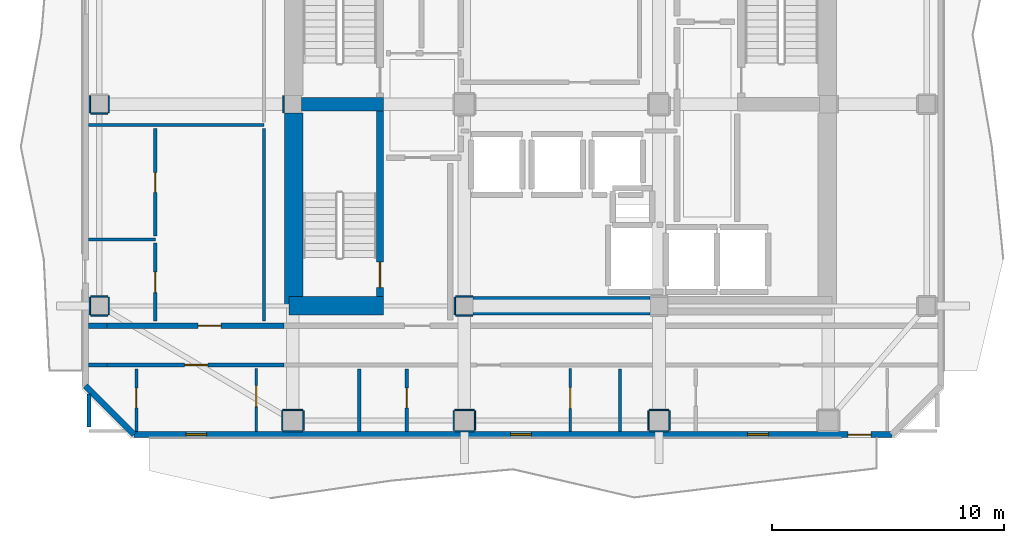
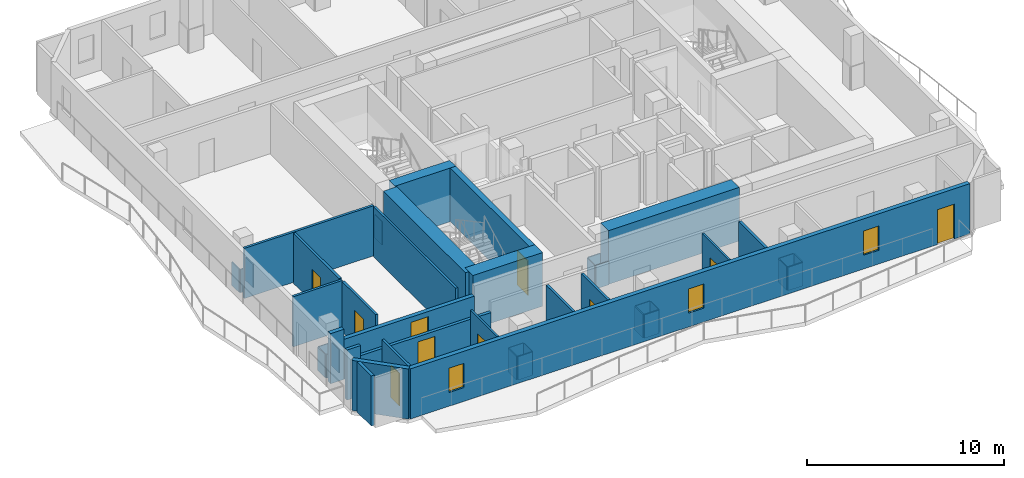
# One storey, part 2 of 10: 46 walls, 10 doors, 3 windows, 13 openings.
"""IFC4 building model written with IfcOpenShell, lengths in metres."""

from ifc_helpers import new_model, si_unit, direction, frame, frame_2d, origin, place, context, subcontext, project, spatial, rectangle, extrude, material, layer, layer_set, type_object, element, fill, save


model = new_model("IFC4")

# Units and contexts
model_context = context("Model", 3, precision=1e-05, world=origin(), true_north=direction((0.0, 1.0)))
body_context = subcontext(model_context, "Body", "Model", "MODEL_VIEW")
ifc_project = project(units=[si_unit("LENGTHUNIT", "METRE"), si_unit("AREAUNIT", "SQUARE_METRE"), si_unit("VOLUMEUNIT", "CUBIC_METRE"), si_unit("PLANEANGLEUNIT", "RADIAN"), si_unit("MASSUNIT", "GRAM", prefix="KILO")], contexts=[model_context])

# Site, building, storey
site_placement = place(None, origin())
site = spatial("IfcSite", under=ifc_project, at=site_placement, CompositionType="ELEMENT")
building_placement = place(site_placement, origin())
building = spatial("IfcBuilding", under=site, at=building_placement, Name="Solanera Arch Residences", CompositionType="ELEMENT")
storey_placement = place(building_placement, frame((0.0, 0.0, 262.239990234375)))
storey = spatial("IfcBuildingStorey", under=building, at=storey_placement, Name="L76", CompositionType="ELEMENT", Elevation=262.239990234375)

# Walls
ifc_material_1 = material(Name="Fire-Rated Gypsum Stud Partition", Category="gypsum")
ifc_layer_1 = layer(ifc_material_1, 0.06005859375)
ifc_layer_set_1 = layer_set([ifc_layer_1], Name="Fire-Rated Gypsum Stud Partition")
wall_type_1 = type_object("IfcWallType", Name="Column Acoustic Furring Wall 60", PredefinedType="PARTITIONING", material=ifc_layer_set_1)
for number, where, z_axis, x_axis, name in (
    (1, (20.425048828125, 21.593017578125, 0.0), (0.0, 0.0, 1.0), (1.0, 0.0, 0.0), "L76 Column Furring 1S"),
    (2, (20.425048828125, 22.406982421875, 0.0), (0.0, 0.0, 1.0), (1.0, 0.0, 0.0), "L76 Column Furring 1N"),
):
    element("IfcWall", number, at=place(storey_placement, frame(where, z_axis=z_axis, x_axis=x_axis)), inside=storey, type_object=wall_type_1, Name=name, PredefinedType="PARTITIONING", context=body_context, shape_type="SweptSolid", body=[
        extrude(rectangle(XDim=0.741943359375, YDim=0.06005859375, at=frame_2d((0.37109375, 0.0))), origin(), (0.0, 0.0, 1.0), 1.449951171875),
    ])
for number, where, z_axis, x_axis, name in (
    (3, (20.39306640625, 21.625, 0.0), (0.0, 0.0, 1.0), (0.0, 1.0, 0.0), "L76 Column Furring 1W"),
    (4, (12.992919921875, 30.324951171875, 0.0), (0.0, 0.0, 1.0), (0.0, 1.0, 0.0), "L76 Column Furring 5W"),
):
    element("IfcWall", number, at=place(storey_placement, frame(where, z_axis=z_axis, x_axis=x_axis)), inside=storey, type_object=wall_type_1, Name=name, PredefinedType="PARTITIONING", context=body_context, shape_type="SweptSolid", body=[
        extrude(rectangle(XDim=0.75, YDim=0.06005859375, at=frame_2d((0.375, 0.0))), origin(), (0.0, 0.0, 1.0), 1.449951171875),
    ])
for number, where, z_axis, x_axis, name in (
    (5, (12.97509765625, 16.593017578125, 0.0), (0.0, 0.0, 1.0), (1.0, 0.0, 0.0), "L76 Column Furring 9S"),
    (6, (12.97509765625, 17.507080078125, 0.0), (0.0, 0.0, 1.0), (1.0, 0.0, 0.0), "L76 Column Furring 9N"),
):
    element("IfcWall", number, at=place(storey_placement, frame(where, z_axis=z_axis, x_axis=x_axis)), inside=storey, type_object=wall_type_1, Name=name, PredefinedType="PARTITIONING", context=body_context, shape_type="SweptSolid", body=[
        extrude(rectangle(XDim=0.849853515625, YDim=0.06005859375, at=frame_2d((0.4248046875, 0.0))), origin(), (0.0, 0.0, 1.0), 1.449951171875),
    ])
for number, where, z_axis, x_axis, name in (
    (7, (12.943115234375, 16.625, 0.0), (0.0, 0.0, 1.0), (0.0, 1.0, 0.0), "L76 Column Furring 9W"),
    (8, (13.85693359375, 16.625, 0.0), (0.0, 0.0, 1.0), (0.0, 1.0, 0.0), "L76 Column Furring 9E"),
    (9, (20.375, 16.593017578125, 0.0), (0.0, 0.0, 1.0), (1.0, 0.0, 0.0), "L76 Column Furring 11S"),
    (10, (20.375, 17.507080078125, 0.0), (0.0, 0.0, 1.0), (1.0, 0.0, 0.0), "L76 Column Furring 11N"),
    (11, (20.343017578125, 16.625, 0.0), (0.0, 0.0, 1.0), (0.0, 1.0, 0.0), "L76 Column Furring 11W"),
    (12, (21.257080078125, 16.625, 0.0), (0.0, 0.0, 1.0), (0.0, 1.0, 0.0), "L76 Column Furring 11E"),
    (13, (28.77490234375, 16.593017578125, 0.0), (0.0, 0.0, 1.0), (1.0, 0.0, 0.0), "L76 Column Furring 13S"),
    (14, (28.77490234375, 17.507080078125, 0.0), (0.0, 0.0, 1.0), (1.0, 0.0, 0.0), "L76 Column Furring 13N"),
    (15, (28.742919921875, 16.625, 0.0), (0.0, 0.0, 1.0), (0.0, 1.0, 0.0), "L76 Column Furring 13W"),
    (16, (29.656982421875, 16.625, 0.0), (0.0, 0.0, 1.0), (0.0, 1.0, 0.0), "L76 Column Furring 13E"),
):
    element("IfcWall", number, at=place(storey_placement, frame(where, z_axis=z_axis, x_axis=x_axis)), inside=storey, type_object=wall_type_1, Name=name, PredefinedType="PARTITIONING", context=body_context, shape_type="SweptSolid", body=[
        extrude(rectangle(XDim=0.85009765625, YDim=0.06005859375, at=frame_2d((0.425048828125, 0.0))), origin(), (0.0, 0.0, 1.0), 1.449951171875),
    ])
for number, where, z_axis, x_axis, name in (
    (17, (4.675048828125, 21.593017578125, 0.0), (0.0, 0.0, 1.0), (1.0, 0.0, 0.0), "L76 Column Furring 17S"),
    (18, (4.675048828125, 22.406982421875, 0.0), (0.0, 0.0, 1.0), (1.0, 0.0, 0.0), "L76 Column Furring 17N"),
    (19, (4.64306640625, 21.625, 0.0), (0.0, 0.0, 1.0), (0.0, 1.0, 0.0), "L76 Column Furring 17W"),
    (20, (5.45703125, 21.625, 0.0), (0.0, 0.0, 1.0), (0.0, 1.0, 0.0), "L76 Column Furring 17E"),
    (21, (4.675048828125, 30.29296875, 0.0), (0.0, 0.0, 1.0), (1.0, 0.0, 0.0), "L76 Column Furring 19S"),
    (22, (4.64306640625, 30.324951171875, 0.0), (0.0, 0.0, 1.0), (0.0, 1.0, 0.0), "L76 Column Furring 19W"),
    (23, (5.45703125, 30.324951171875, 0.0), (0.0, 0.0, 1.0), (0.0, 1.0, 0.0), "L76 Column Furring 19E"),
):
    element("IfcWall", number, at=place(storey_placement, frame(where, z_axis=z_axis, x_axis=x_axis)), inside=storey, type_object=wall_type_1, Name=name, PredefinedType="PARTITIONING", context=body_context, shape_type="SweptSolid", body=[
        extrude(rectangle(XDim=0.75, YDim=0.06005859375, at=frame_2d((0.375, 0.0))), origin(), (0.0, 0.0, 1.0), 1.449951171875),
    ])

# Wall, opening, door
ifc_material_2 = material(Name="Concrete C40/50 (f'c = 45 MPa)", Category="concrete")
ifc_layer_2 = layer(ifc_material_2, 0.320068359375)
ifc_layer_set_2 = layer_set([ifc_layer_2], Name="Concrete C40/50 (f'c = 45 MPa)")
wall_type_2 = type_object("IfcWallType", Name="Core Shear Wall CW-320", PredefinedType="SHEAR", material=ifc_layer_set_2)
wall_1_placement = place(storey_placement, frame((17.159912109375, 22.39990234375, 0.0), z_axis=(0.0, 0.0, 1.0), x_axis=(0.0, 1.0, 0.0)))
wall_1 = element("IfcWall", 24, at=wall_1_placement, inside=storey, type_object=wall_type_2, Name="L76 Stair ST-T3 East Shear Wall", PredefinedType="SHEAR", context=body_context, shape_type="SweptSolid", body=[
    extrude(rectangle(XDim=8.0, YDim=0.320068359375, at=frame_2d((4.0, 0.0))), origin(), (0.0, 0.0, 1.0), 3.320068359375),
])
opening_1_placement = place(wall_1_placement, frame((0.389892578125, 0.0, 0.0)))
opening_1 = element("IfcOpeningElement", 25, at=opening_1_placement, cuts=wall_1, Name="Opening DF-01", PredefinedType="OPENING", context=body_context, shape_type="SweptSolid", body=[
    extrude(rectangle(XDim=1.10009765625, YDim=2.14990234375, at=frame_2d((0.550048828125, 1.074951171875))), frame((0.0, 0.169921875, 0.0), z_axis=(0.0, -1.0, 0.0), x_axis=(1.0, 0.0, 0.0)), (0.0, 0.0, 1.0), 0.3401),
])
ifc_material_3 = material(Name="Fire-Rated Architectural Hardwood", Category="wood")
door_type_1 = type_object("IfcDoorType", Name="Stair Exit Fire Door DF-01", OperationType="NOTDEFINED", PredefinedType="DOOR", material=ifc_material_3)
door_1_placement = place(opening_1_placement, origin())
door_1 = element("IfcDoor", 26, at=door_1_placement, inside=storey, type_object=door_type_1, Name="DR-L76-STAIR-ST-T3", OperationType="SINGLE_SWING_LEFT", OverallHeight=2.14990234375, OverallWidth=1.10009765625, PredefinedType="DOOR", context=body_context, shape_type="SweptSolid", body=[
    extrude(rectangle(XDim=1.10009765625, YDim=2.14990234375, at=frame_2d((0.550048828125, 1.074951171875))), frame((0.0, 0.02490234375, 0.0), z_axis=(0.0, -1.0, 0.0), x_axis=(1.0, 0.0, 0.0)), (0.0, 0.0, 1.0), 0.050048828125),
])
fill(opening_1, door_1)

# Walls
ifc_material_4 = material(Name="Concrete C40/50 (f'c = 45 MPa)", Category="concrete")
ifc_layer_3 = layer(ifc_material_4, 0.60009765625)
ifc_layer_set_3 = layer_set([ifc_layer_3], Name="Concrete C40/50 (f'c = 45 MPa)")
wall_type_3 = type_object("IfcWallType", Name="Core Shear Wall CW-600", PredefinedType="SHEAR", material=ifc_layer_set_3)
wall_2_placement = place(storey_placement, frame((13.780029296875, 30.699951171875, 0.0), z_axis=(0.0, 0.0, 1.0), x_axis=(1.0, 0.0, 0.0)))
element("IfcWall", 27, at=wall_2_placement, inside=storey, type_object=wall_type_3, Name="L76 West Stair Divider Shear Wall", PredefinedType="SHEAR", context=body_context, shape_type="SweptSolid", body=[
    extrude(rectangle(XDim=3.5400390625, YDim=0.60009765625, at=frame_2d((1.77001953125, 0.0))), origin(), (0.0, 0.0, 1.0), 3.320068359375),
])
ifc_material_5 = material(Name="Concrete C40/50 (f'c = 45 MPa)", Category="concrete")
ifc_layer_4 = layer(ifc_material_5, 0.800048828125)
ifc_layer_set_4 = layer_set([ifc_layer_4], Name="Concrete C40/50 (f'c = 45 MPa)")
wall_type_4 = type_object("IfcWallType", Name="Core Shear Wall CW-800", PredefinedType="SHEAR", material=ifc_layer_set_4)
wall_3_placement = place(storey_placement, frame((13.43994140625, 22.0, 0.0), z_axis=(0.0, 0.0, 1.0), x_axis=(0.0, 1.0, 0.0)))
element("IfcWall", 28, at=wall_3_placement, inside=storey, type_object=wall_type_4, Name="L76 West Core South Shear Wall", PredefinedType="SHEAR", context=body_context, shape_type="SweptSolid", body=[
    extrude(rectangle(XDim=8.320068359375, YDim=0.800048828125, at=frame_2d((4.16015625, 0.0))), origin(), (0.0, 0.0, 1.0), 3.320068359375),
])
wall_4_placement = place(storey_placement, frame((13.239990234375, 22.0, 0.0), z_axis=(0.0, 0.0, 1.0), x_axis=(1.0, 0.0, 0.0)))
element("IfcWall", 29, at=wall_4_placement, inside=storey, type_object=wall_type_4, Name="L76 South-West Core Shear Wall", PredefinedType="SHEAR", context=body_context, shape_type="SweptSolid", body=[
    extrude(rectangle(XDim=4.080078125, YDim=0.800048828125, at=frame_2d((2.0400390625, 0.0))), origin(), (0.0, 0.0, 1.0), 3.320068359375),
])
wall_5_placement = place(storey_placement, frame((21.179931640625, 22.0, 0.0), z_axis=(0.0, 0.0, 1.0), x_axis=(1.0, 0.0, 0.0)))
element("IfcWall", 30, at=wall_5_placement, inside=storey, type_object=wall_type_4, Name="L76 Central South Core Shear Wall", PredefinedType="SHEAR", context=body_context, shape_type="SweptSolid", body=[
    extrude(rectangle(XDim=7.64013671875, YDim=0.800048828125, at=frame_2d((3.820068359375, 0.0))), origin(), (0.0, 0.0, 1.0), 3.320068359375),
])
ifc_material_6 = material(Name="Autoclaved Aerated Concrete Blockwork", Category="masonry")
ifc_layer_5 = layer(ifc_material_6, 0.179931640625)
ifc_layer_set_5 = layer_set([ifc_layer_5], Name="Autoclaved Aerated Concrete Blockwork")
wall_type_5 = type_object("IfcWallType", Name="Corridor Fire Partition 180", PredefinedType="PARTITIONING", material=ifc_layer_set_5)
wall_6_placement = place(storey_placement, frame((4.5869140625, 19.449951171875, 0.0), z_axis=(0.0, 0.0, 1.0), x_axis=(1.0, 0.0, 0.0)))
element("IfcWall", 31, at=wall_6_placement, inside=storey, type_object=wall_type_5, Name="L76 Interior Partition H7 1", PredefinedType="PARTITIONING", context=body_context, shape_type="SweptSolid", body=[
    extrude(rectangle(XDim=0.801025390625, YDim=0.179931640625, at=frame_2d((0.400390625, 0.0))), origin(), (0.0, 0.0, 1.0), 3.10009765625),
])

# Wall, opening, door
wall_7_placement = place(storey_placement, frame((5.387939453125, 19.449951171875, 0.0), z_axis=(0.0, 0.0, 1.0), x_axis=(1.0, 0.0, 0.0)))
wall_7 = element("IfcWall", 32, at=wall_7_placement, inside=storey, type_object=wall_type_5, Name="L76 Interior Partition H7 2", PredefinedType="PARTITIONING", context=body_context, shape_type="SweptSolid", body=[
    extrude(rectangle(XDim=7.6240234375, YDim=0.179931640625, at=frame_2d((3.81201171875, 0.0))), origin(), (0.0, 0.0, 1.0), 2.47705078125),
])
opening_2_placement = place(wall_7_placement, frame((3.346923828125, 0.0, 0.0)))
opening_2 = element("IfcOpeningElement", 33, at=opening_2_placement, cuts=wall_7, Name="Opening DI-01", PredefinedType="OPENING", context=body_context, shape_type="SweptSolid", body=[
    extrude(rectangle(XDim=1.0, YDim=2.14990234375, at=frame_2d((0.5, 1.074951171875))), frame((0.0, 0.10009765625, 0.0), z_axis=(0.0, -1.0, 0.0), x_axis=(1.0, 0.0, 0.0)), (0.0, 0.0, 1.0), 0.1999),
])
ifc_material_7 = material(Name="Fire-Rated Architectural Hardwood", Category="wood")
door_type_2 = type_object("IfcDoorType", Name="Unit Entrance Fire Door DI-01", OperationType="NOTDEFINED", PredefinedType="DOOR", material=ifc_material_7)
door_2_placement = place(opening_2_placement, origin())
door_2 = element("IfcDoor", 34, at=door_2_placement, inside=storey, type_object=door_type_2, Name="DR-L76-IN-014", OperationType="SINGLE_SWING_RIGHT", OverallHeight=2.14990234375, OverallWidth=1.0, PredefinedType="DOOR", context=body_context, shape_type="SweptSolid", body=[
    extrude(rectangle(XDim=1.0, YDim=2.14990234375, at=frame_2d((0.5, 1.074951171875))), frame((0.0, 0.02490234375, 0.0), z_axis=(0.0, -1.0, 0.0), x_axis=(1.0, 0.0, 0.0)), (0.0, 0.0, 1.0), 0.050048828125),
])
fill(opening_2, door_2)

# Wall
wall_8_placement = place(storey_placement, frame((4.60009765625, 16.76806640625, 0.0), z_axis=(0.0, 0.0, 1.0), x_axis=(0.0, 1.0, 0.0)))
element("IfcWall", 35, at=wall_8_placement, inside=storey, type_object=wall_type_5, Name="L76 Interior Partition V7 1", PredefinedType="PARTITIONING", context=body_context, shape_type="SweptSolid", body=[
    extrude(rectangle(XDim=1.4208984375, YDim=0.179931640625, at=frame_2d((0.71044921875, 0.0))), origin(), (0.0, 0.0, 1.0), 3.10009765625),
])

# Wall, openings, door, windows
ifc_material_8 = material(Name="Precast Concrete C35/45", Category="concrete")
ifc_layer_6 = layer(ifc_material_8, 0.260009765625)
ifc_layer_set_6 = layer_set([ifc_layer_6], Name="Precast Concrete C35/45")
wall_type_6 = type_object("IfcWallType", Name="Exterior Wall Precast Masonry-Frame 260", PredefinedType="STANDARD", material=ifc_layer_set_6)
wall_9_placement = place(storey_placement, frame((39.2548828125, 16.445068359375, 0.0), z_axis=(0.0, 0.0, 1.0), x_axis=(-1.0, 0.0, 0.0)))
wall_9 = element("IfcWall", 36, at=wall_9_placement, inside=storey, type_object=wall_type_6, Name="L76 Tower Exterior Precast Masonry-Frame Wall S", PredefinedType="STANDARD", context=body_context, shape_type="SweptSolid", body=[
    extrude(rectangle(XDim=32.7099609375, YDim=0.260009765625, at=frame_2d((16.35498046875, 0.0))), origin(), (0.0, 0.0, 1.0), 3.10009765625),
])
opening_3_placement = place(wall_9_placement, frame((0.906982421875, 0.0, 0.0)))
opening_3 = element("IfcOpeningElement", 37, at=opening_3_placement, cuts=wall_9, Name="Opening DB-01", PredefinedType="OPENING", context=body_context, shape_type="SweptSolid", body=[
    extrude(rectangle(XDim=1.0, YDim=2.14990234375, at=frame_2d((0.5, 1.074951171875))), frame((0.0, 0.139892578125, 0.0), z_axis=(0.0, -1.0, 0.0), x_axis=(1.0, 0.0, 0.0)), (0.0, 0.0, 1.0), 0.28),
])
opening_4_placement = place(wall_9_placement, frame((29.570068359375, 0.0, 0.85009765625)))
opening_4 = element("IfcOpeningElement", 38, at=opening_4_placement, cuts=wall_9, Name="Opening W-06", PredefinedType="OPENING", context=body_context, shape_type="SweptSolid", body=[
    extrude(rectangle(XDim=0.89990234375, YDim=1.5, at=frame_2d((0.449951171875, 0.75))), frame((0.0, 0.139892578125, 0.0), z_axis=(0.0, -1.0, 0.0), x_axis=(1.0, 0.0, 0.0)), (0.0, 0.0, 1.0), 0.28),
])
opening_5_placement = place(wall_9_placement, frame((15.55810546875, 0.0, 0.85009765625)))
opening_5 = element("IfcOpeningElement", 39, at=opening_5_placement, cuts=wall_9, Name="Opening W-06", PredefinedType="OPENING", context=body_context, shape_type="SweptSolid", body=[
    extrude(rectangle(XDim=0.89990234375, YDim=1.5, at=frame_2d((0.449951171875, 0.75))), frame((0.0, 0.139892578125, 0.0), z_axis=(0.0, -1.0, 0.0), x_axis=(1.0, 0.0, 0.0)), (0.0, 0.0, 1.0), 0.28),
])
opening_6_placement = place(wall_9_placement, frame((5.327880859375, 0.0, 0.85009765625)))
opening_6 = element("IfcOpeningElement", 40, at=opening_6_placement, cuts=wall_9, Name="Opening W-06", PredefinedType="OPENING", context=body_context, shape_type="SweptSolid", body=[
    extrude(rectangle(XDim=0.89990234375, YDim=1.5, at=frame_2d((0.449951171875, 0.75))), frame((0.0, 0.139892578125, 0.0), z_axis=(0.0, -1.0, 0.0), x_axis=(1.0, 0.0, 0.0)), (0.0, 0.0, 1.0), 0.28),
])
ifc_material_9 = material(Name="Anodised Aluminium Alloy 6063-T6", Category="aluminium")
door_type_3 = type_object("IfcDoorType", Name="Glazed Balcony Swing Door DB-01", OperationType="NOTDEFINED", PredefinedType="DOOR", material=ifc_material_9)
door_3_placement = place(opening_3_placement, origin())
door_3 = element("IfcDoor", 41, at=door_3_placement, inside=storey, type_object=door_type_3, Name="DR-L76-OUT-01", OperationType="SINGLE_SWING_RIGHT", OverallHeight=2.14990234375, OverallWidth=1.0, PredefinedType="DOOR", context=body_context, shape_type="SweptSolid", body=[
    extrude(rectangle(XDim=1.0, YDim=2.14990234375, at=frame_2d((0.5, 1.074951171875))), frame((0.0, 0.02490234375, 0.0), z_axis=(0.0, -1.0, 0.0), x_axis=(1.0, 0.0, 0.0)), (0.0, 0.0, 1.0), 0.050048828125),
])
fill(opening_3, door_3)
ifc_material_10 = material(Name="Double Glazed Low-E Laminated Glass", Category="glass")
window_type = type_object("IfcWindowType", Name="Punched Window W-06", PartitioningType="SINGLE_PANEL", PredefinedType="WINDOW", material=ifc_material_10)
window_1_placement = place(opening_4_placement, origin())
window_1 = element("IfcWindow", 42, at=window_1_placement, inside=storey, type_object=window_type, Name="L76 7601-LIV Punched Window", OverallHeight=1.5, OverallWidth=0.89990234375, PartitioningType="SINGLE_PANEL", PredefinedType="WINDOW", context=body_context, shape_type="SweptSolid", body=[
    extrude(rectangle(XDim=0.89990234375, YDim=1.5, at=frame_2d((0.449951171875, 0.75))), frame((0.0, 0.030029296875, 0.0), z_axis=(0.0, -1.0, 0.0), x_axis=(1.0, 0.0, 0.0)), (0.0, 0.0, 1.0), 0.06005859375),
])
fill(opening_4, window_1)
window_2_placement = place(opening_5_placement, origin())
window_2 = element("IfcWindow", 43, at=window_2_placement, inside=storey, type_object=window_type, Name="L76 7602-LIV Punched Window", OverallHeight=1.5, OverallWidth=0.89990234375, PartitioningType="SINGLE_PANEL", PredefinedType="WINDOW", context=body_context, shape_type="SweptSolid", body=[
    extrude(rectangle(XDim=0.89990234375, YDim=1.5, at=frame_2d((0.449951171875, 0.75))), frame((0.0, 0.030029296875, 0.0), z_axis=(0.0, -1.0, 0.0), x_axis=(1.0, 0.0, 0.0)), (0.0, 0.0, 1.0), 0.06005859375),
])
fill(opening_5, window_2)
window_3_placement = place(opening_6_placement, origin())
window_3 = element("IfcWindow", 44, at=window_3_placement, inside=storey, type_object=window_type, Name="L76 7603-LIV Punched Window", OverallHeight=1.5, OverallWidth=0.89990234375, PartitioningType="SINGLE_PANEL", PredefinedType="WINDOW", context=body_context, shape_type="SweptSolid", body=[
    extrude(rectangle(XDim=0.89990234375, YDim=1.5, at=frame_2d((0.449951171875, 0.75))), frame((0.0, 0.030029296875, 0.0), z_axis=(0.0, -1.0, 0.0), x_axis=(1.0, 0.0, 0.0)), (0.0, 0.0, 1.0), 0.06005859375),
])
fill(opening_6, window_3)

# Walls
wall_10_placement = place(storey_placement, frame((6.544921875, 16.445068359375, 0.0), z_axis=(0.0, 0.0, 1.0), x_axis=(-0.707106781187, 0.707106781187, 0.0)))
element("IfcWall", 45, at=wall_10_placement, inside=storey, type_object=wall_type_6, Name="L76 Tower Exterior Precast Masonry-Frame Wall CH7", PredefinedType="STANDARD", context=body_context, shape_type="SweptSolid", body=[
    extrude(rectangle(XDim=2.9697265625, YDim=0.260009765625, at=frame_2d((1.48486328125, 0.0))), origin(), (0.0, 0.0, 1.0), 3.10009765625),
])
ifc_material_11 = material(Name="Autoclaved Aerated Concrete Blockwork", Category="masonry")
ifc_layer_7 = layer(ifc_material_11, 0.239990234375)
ifc_layer_set_7 = layer_set([ifc_layer_7], Name="Autoclaved Aerated Concrete Blockwork")
wall_type_7 = type_object("IfcWallType", Name="Shaft Wall Fire-Rated 240", PredefinedType="PARTITIONING", material=ifc_layer_set_7)
wall_11_placement = place(storey_placement, frame((4.5869140625, 21.14990234375, 0.0), z_axis=(0.0, 0.0, 1.0), x_axis=(1.0, 0.0, 0.0)))
element("IfcWall", 46, at=wall_11_placement, inside=storey, type_object=wall_type_7, Name="L76 Interior Partition H1 1", PredefinedType="PARTITIONING", context=body_context, shape_type="SweptSolid", body=[
    extrude(rectangle(XDim=0.801025390625, YDim=0.239990234375, at=frame_2d((0.400390625, 0.0))), origin(), (0.0, 0.0, 1.0), 3.10009765625),
])

# Wall, opening, door
wall_12_placement = place(storey_placement, frame((5.387939453125, 21.14990234375, 0.0), z_axis=(0.0, 0.0, 1.0), x_axis=(1.0, 0.0, 0.0)))
wall_12 = element("IfcWall", 47, at=wall_12_placement, inside=storey, type_object=wall_type_7, Name="L76 Interior Partition H1 2", PredefinedType="PARTITIONING", context=body_context, shape_type="SweptSolid", body=[
    extrude(rectangle(XDim=7.6240234375, YDim=0.239990234375, at=frame_2d((3.81201171875, 0.0))), origin(), (0.0, 0.0, 1.0), 2.47705078125),
])
opening_7_placement = place(wall_12_placement, frame((3.9208984375, 0.0, 0.0)))
opening_7 = element("IfcOpeningElement", 48, at=opening_7_placement, cuts=wall_12, Name="Opening DI-01", PredefinedType="OPENING", context=body_context, shape_type="SweptSolid", body=[
    extrude(rectangle(XDim=1.0, YDim=2.14990234375, at=frame_2d((0.5, 1.074951171875))), frame((0.0, 0.1298828125, 0.0), z_axis=(0.0, -1.0, 0.0), x_axis=(1.0, 0.0, 0.0)), (0.0, 0.0, 1.0), 0.26),
])
door_4_placement = place(opening_7_placement, origin())
door_4 = element("IfcDoor", 49, at=door_4_placement, inside=storey, type_object=door_type_2, Name="DR-L76-IN-031", OperationType="SINGLE_SWING_LEFT", OverallHeight=2.14990234375, OverallWidth=1.0, PredefinedType="DOOR", context=body_context, shape_type="SweptSolid", body=[
    extrude(rectangle(XDim=1.0, YDim=2.14990234375, at=frame_2d((0.5, 1.074951171875))), frame((0.0, 0.02490234375, 0.0), z_axis=(0.0, -1.0, 0.0), x_axis=(1.0, 0.0, 0.0)), (0.0, 0.0, 1.0), 0.050048828125),
])
fill(opening_7, door_4)

ifc_material_12 = material(Name="Fire-Rated Gypsum Stud Partition", Category="gypsum")
ifc_layer_8 = layer(ifc_material_12, 0.1201171875)
ifc_layer_set_8 = layer_set([ifc_layer_8], Name="Fire-Rated Gypsum Stud Partition")
wall_type_8 = type_object("IfcWallType", Name="Unit Drywall Partition 120", PredefinedType="PARTITIONING", material=ifc_layer_set_8)
wall_13_placement = place(storey_placement, frame((11.820068359375, 16.5869140625, 0.0), z_axis=(0.0, 0.0, 1.0), x_axis=(0.0, 1.0, 0.0)))
wall_13 = element("IfcWall", 50, at=wall_13_placement, inside=storey, type_object=wall_type_8, Name="L76 Interior Partition V20", PredefinedType="PARTITIONING", context=body_context, shape_type="SweptSolid", body=[
    extrude(rectangle(XDim=2.705078125, YDim=0.1201171875, at=frame_2d((1.3525390625, 0.0))), origin(), (0.0, 0.0, 1.0), 3.10009765625),
])
opening_8_placement = place(wall_13_placement, frame((1.068115234375, 0.0, 0.0)))
opening_8 = element("IfcOpeningElement", 51, at=opening_8_placement, cuts=wall_13, Name="Opening DI-02", PredefinedType="OPENING", context=body_context, shape_type="SweptSolid", body=[
    extrude(rectangle(XDim=0.89990234375, YDim=2.10009765625, at=frame_2d((0.449951171875, 1.050048828125))), frame((0.0, 0.070068359375, 0.0), z_axis=(0.0, -1.0, 0.0), x_axis=(1.0, 0.0, 0.0)), (0.0, 0.0, 1.0), 0.1401),
])
ifc_material_13 = material(Name="Fire-Rated Architectural Hardwood", Category="wood")
door_type_4 = type_object("IfcDoorType", Name="Suite Room Swing Door DI-02", OperationType="NOTDEFINED", PredefinedType="DOOR", material=ifc_material_13)
door_5_placement = place(opening_8_placement, origin())
door_5 = element("IfcDoor", 52, at=door_5_placement, inside=storey, type_object=door_type_4, Name="DR-L76-IN-016", OperationType="SINGLE_SWING_RIGHT", OverallHeight=2.10009765625, OverallWidth=0.89990234375, PredefinedType="DOOR", context=body_context, shape_type="SweptSolid", body=[
    extrude(rectangle(XDim=0.89990234375, YDim=2.10009765625, at=frame_2d((0.449951171875, 1.050048828125))), frame((0.0, 0.02490234375, 0.0), z_axis=(0.0, -1.0, 0.0), x_axis=(1.0, 0.0, 0.0)), (0.0, 0.0, 1.0), 0.050048828125),
])
fill(opening_8, door_5)

# Wall
wall_14_placement = place(storey_placement, frame((12.14990234375, 21.337890625, 0.0), z_axis=(0.0, 0.0, 1.0), x_axis=(0.0, 1.0, 0.0)))
element("IfcWall", 53, at=wall_14_placement, inside=storey, type_object=wall_type_8, Name="L76 Interior Partition V21 1", PredefinedType="PARTITIONING", context=body_context, shape_type="SweptSolid", body=[
    extrude(rectangle(XDim=8.32421875, YDim=0.1201171875, at=frame_2d((4.162109375, 0.0))), origin(), (0.0, 0.0, 1.0), 3.10009765625),
])

# Wall, opening, door
wall_15_placement = place(storey_placement, frame((25.3701171875, 16.5869140625, 0.0), z_axis=(0.0, 0.0, 1.0), x_axis=(0.0, 1.0, 0.0)))
wall_15 = element("IfcWall", 54, at=wall_15_placement, inside=storey, type_object=wall_type_8, Name="L76 Interior Partition V24", PredefinedType="PARTITIONING", context=body_context, shape_type="SweptSolid", body=[
    extrude(rectangle(XDim=2.705078125, YDim=0.1201171875, at=frame_2d((1.3525390625, 0.0))), origin(), (0.0, 0.0, 1.0), 3.10009765625),
])
opening_9_placement = place(wall_15_placement, frame((0.988037109375, 0.0, 0.0)))
opening_9 = element("IfcOpeningElement", 55, at=opening_9_placement, cuts=wall_15, Name="Opening DI-02", PredefinedType="OPENING", context=body_context, shape_type="SweptSolid", body=[
    extrude(rectangle(XDim=0.89990234375, YDim=2.10009765625, at=frame_2d((0.449951171875, 1.050048828125))), frame((0.0, 0.070068359375, 0.0), z_axis=(0.0, -1.0, 0.0), x_axis=(1.0, 0.0, 0.0)), (0.0, 0.0, 1.0), 0.1401),
])
door_6_placement = place(opening_9_placement, origin())
door_6 = element("IfcDoor", 56, at=door_6_placement, inside=storey, type_object=door_type_4, Name="DR-L76-IN-019", OperationType="SINGLE_SWING_LEFT", OverallHeight=2.10009765625, OverallWidth=0.89990234375, PredefinedType="DOOR", context=body_context, shape_type="SweptSolid", body=[
    extrude(rectangle(XDim=0.89990234375, YDim=2.10009765625, at=frame_2d((0.449951171875, 1.050048828125))), frame((0.0, 0.02490234375, 0.0), z_axis=(0.0, -1.0, 0.0), x_axis=(1.0, 0.0, 0.0)), (0.0, 0.0, 1.0), 0.050048828125),
])
fill(opening_9, door_6)

# Walls
ifc_material_14 = material(Name="Autoclaved Aerated Concrete Blockwork", Category="masonry")
ifc_layer_9 = layer(ifc_material_14, 0.139892578125)
ifc_layer_set_9 = layer_set([ifc_layer_9], Name="Autoclaved Aerated Concrete Blockwork")
wall_type_9 = type_object("IfcWallType", Name="Wet-Room Partition 140", PredefinedType="PARTITIONING", material=ifc_layer_set_9)
wall_16_placement = place(storey_placement, frame((4.5869140625, 24.868896484375, 0.0), z_axis=(0.0, 0.0, 1.0), x_axis=(1.0, 0.0, 0.0)))
element("IfcWall", 57, at=wall_16_placement, inside=storey, type_object=wall_type_9, Name="L76 Interior Partition H14", PredefinedType="PARTITIONING", context=body_context, shape_type="SweptSolid", body=[
    extrude(rectangle(XDim=2.882080078125, YDim=0.139892578125, at=frame_2d((1.44091796875, 0.0))), origin(), (0.0, 0.0, 1.0), 3.10009765625),
])
wall_17_placement = place(storey_placement, frame((4.5869140625, 29.800048828125, 0.0), z_axis=(0.0, 0.0, 1.0), x_axis=(1.0, 0.0, 0.0)))
element("IfcWall", 58, at=wall_17_placement, inside=storey, type_object=wall_type_9, Name="L76 Interior Partition H15", PredefinedType="PARTITIONING", context=body_context, shape_type="SweptSolid", body=[
    extrude(rectangle(XDim=7.56298828125, YDim=0.139892578125, at=frame_2d((3.781494140625, 0.0))), origin(), (0.0, 0.0, 1.0), 3.10009765625),
])

# Wall, opening, door
wall_18_placement = place(storey_placement, frame((6.64990234375, 16.5869140625, 0.0), z_axis=(0.0, 0.0, 1.0), x_axis=(0.0, 1.0, 0.0)))
wall_18 = element("IfcWall", 59, at=wall_18_placement, inside=storey, type_object=wall_type_9, Name="L76 Interior Partition V11", PredefinedType="PARTITIONING", context=body_context, shape_type="SweptSolid", body=[
    extrude(rectangle(XDim=2.695068359375, YDim=0.139892578125, at=frame_2d((1.34765625, 0.0))), origin(), (0.0, 0.0, 1.0), 3.10009765625),
])
opening_10_placement = place(wall_18_placement, frame((1.008056640625, 0.0, 0.0)))
opening_10 = element("IfcOpeningElement", 60, at=opening_10_placement, cuts=wall_18, Name="Opening DI-05", PredefinedType="OPENING", context=body_context, shape_type="SweptSolid", body=[
    extrude(rectangle(XDim=0.860107421875, YDim=2.02001953125, at=frame_2d((0.43017578125, 1.010009765625))), frame((0.0, 0.079833984375, 0.0), z_axis=(0.0, -1.0, 0.0), x_axis=(1.0, 0.0, 0.0)), (0.0, 0.0, 1.0), 0.1599),
])
ifc_material_15 = material(Name="Fire-Rated Architectural Hardwood", Category="wood")
door_type_5 = type_object("IfcDoorType", Name="Bathroom Swing Door DI-05", OperationType="NOTDEFINED", PredefinedType="DOOR", material=ifc_material_15)
door_7_placement = place(opening_10_placement, origin())
door_7 = element("IfcDoor", 61, at=door_7_placement, inside=storey, type_object=door_type_5, Name="DR-L76-IN-015", OperationType="SINGLE_SWING_LEFT", OverallHeight=2.02001953125, OverallWidth=0.860107421875, PredefinedType="DOOR", context=body_context, shape_type="SweptSolid", body=[
    extrude(rectangle(XDim=0.860107421875, YDim=2.02001953125, at=frame_2d((0.43017578125, 1.010009765625))), frame((0.0, 0.02490234375, 0.0), z_axis=(0.0, -1.0, 0.0), x_axis=(1.0, 0.0, 0.0)), (0.0, 0.0, 1.0), 0.050048828125),
])
fill(opening_10, door_7)

wall_19_placement = place(storey_placement, frame((7.468994140625, 21.347900390625, 0.0), z_axis=(0.0, 0.0, 1.0), x_axis=(0.0, 1.0, 0.0)))
wall_19 = element("IfcWall", 62, at=wall_19_placement, inside=storey, type_object=wall_type_9, Name="L76 Interior Partition V12 1", PredefinedType="PARTITIONING", context=body_context, shape_type="SweptSolid", body=[
    extrude(rectangle(XDim=3.373046875, YDim=0.139892578125, at=frame_2d((1.6865234375, 0.0))), origin(), (0.0, 0.0, 1.0), 3.10009765625),
])
opening_11_placement = place(wall_19_placement, frame((1.22412109375, 0.0, 0.0)))
opening_11 = element("IfcOpeningElement", 63, at=opening_11_placement, cuts=wall_19, Name="Opening DI-02", PredefinedType="OPENING", context=body_context, shape_type="SweptSolid", body=[
    extrude(rectangle(XDim=0.89990234375, YDim=2.10009765625, at=frame_2d((0.449951171875, 1.050048828125))), frame((0.0, 0.079833984375, 0.0), z_axis=(0.0, -1.0, 0.0), x_axis=(1.0, 0.0, 0.0)), (0.0, 0.0, 1.0), 0.1599),
])
door_8_placement = place(opening_11_placement, origin())
door_8 = element("IfcDoor", 64, at=door_8_placement, inside=storey, type_object=door_type_4, Name="DR-L76-IN-032", OperationType="SINGLE_SWING_RIGHT", OverallHeight=2.10009765625, OverallWidth=0.89990234375, PredefinedType="DOOR", context=body_context, shape_type="SweptSolid", body=[
    extrude(rectangle(XDim=0.89990234375, YDim=2.10009765625, at=frame_2d((0.449951171875, 1.050048828125))), frame((0.0, 0.02490234375, 0.0), z_axis=(0.0, -1.0, 0.0), x_axis=(1.0, 0.0, 0.0)), (0.0, 0.0, 1.0), 0.050048828125),
])
fill(opening_11, door_8)

wall_20_placement = place(storey_placement, frame((7.468994140625, 25.01708984375, 0.0), z_axis=(0.0, 0.0, 1.0), x_axis=(0.0, 1.0, 0.0)))
wall_20 = element("IfcWall", 65, at=wall_20_placement, inside=storey, type_object=wall_type_9, Name="L76 Interior Partition V12 2", PredefinedType="PARTITIONING", context=body_context, shape_type="SweptSolid", body=[
    extrude(rectangle(XDim=4.635009765625, YDim=0.139892578125, at=frame_2d((2.3173828125, 0.0))), origin(), (0.0, 0.0, 1.0), 3.10009765625),
])
opening_12_placement = place(wall_20_placement, frame((1.875, 0.0, 0.0)))
opening_12 = element("IfcOpeningElement", 66, at=opening_12_placement, cuts=wall_20, Name="Opening DI-05", PredefinedType="OPENING", context=body_context, shape_type="SweptSolid", body=[
    extrude(rectangle(XDim=0.860107421875, YDim=2.02001953125, at=frame_2d((0.43017578125, 1.010009765625))), frame((0.0, 0.079833984375, 0.0), z_axis=(0.0, -1.0, 0.0), x_axis=(1.0, 0.0, 0.0)), (0.0, 0.0, 1.0), 0.1599),
])
door_9_placement = place(opening_12_placement, origin())
door_9 = element("IfcDoor", 67, at=door_9_placement, inside=storey, type_object=door_type_5, Name="DR-L76-IN-033", OperationType="SINGLE_SWING_LEFT", OverallHeight=2.02001953125, OverallWidth=0.860107421875, PredefinedType="DOOR", context=body_context, shape_type="SweptSolid", body=[
    extrude(rectangle(XDim=0.860107421875, YDim=2.02001953125, at=frame_2d((0.43017578125, 1.010009765625))), frame((0.0, 0.02490234375, 0.0), z_axis=(0.0, -1.0, 0.0), x_axis=(1.0, 0.0, 0.0)), (0.0, 0.0, 1.0), 0.050048828125),
])
fill(opening_12, door_9)

# Wall
wall_21_placement = place(storey_placement, frame((16.260986328125, 16.5869140625, 0.0), z_axis=(0.0, 0.0, 1.0), x_axis=(0.0, 1.0, 0.0)))
element("IfcWall", 68, at=wall_21_placement, inside=storey, type_object=wall_type_9, Name="L76 Interior Partition V14", PredefinedType="PARTITIONING", context=body_context, shape_type="SweptSolid", body=[
    extrude(rectangle(XDim=2.695068359375, YDim=0.139892578125, at=frame_2d((1.34765625, 0.0))), origin(), (0.0, 0.0, 1.0), 3.10009765625),
])

# Wall, opening, door
wall_22_placement = place(storey_placement, frame((18.31103515625, 16.5869140625, 0.0), z_axis=(0.0, 0.0, 1.0), x_axis=(0.0, 1.0, 0.0)))
wall_22 = element("IfcWall", 69, at=wall_22_placement, inside=storey, type_object=wall_type_9, Name="L76 Interior Partition V15", PredefinedType="PARTITIONING", context=body_context, shape_type="SweptSolid", body=[
    extrude(rectangle(XDim=2.695068359375, YDim=0.139892578125, at=frame_2d((1.34765625, 0.0))), origin(), (0.0, 0.0, 1.0), 3.10009765625),
])
opening_13_placement = place(wall_22_placement, frame((1.008056640625, 0.0, 0.0)))
opening_13 = element("IfcOpeningElement", 70, at=opening_13_placement, cuts=wall_22, Name="Opening DI-05", PredefinedType="OPENING", context=body_context, shape_type="SweptSolid", body=[
    extrude(rectangle(XDim=0.860107421875, YDim=2.02001953125, at=frame_2d((0.43017578125, 1.010009765625))), frame((0.0, 0.079833984375, 0.0), z_axis=(0.0, -1.0, 0.0), x_axis=(1.0, 0.0, 0.0)), (0.0, 0.0, 1.0), 0.1599),
])
door_10_placement = place(opening_13_placement, origin())
door_10 = element("IfcDoor", 71, at=door_10_placement, inside=storey, type_object=door_type_5, Name="DR-L76-IN-018", OperationType="SINGLE_SWING_RIGHT", OverallHeight=2.02001953125, OverallWidth=0.860107421875, PredefinedType="DOOR", context=body_context, shape_type="SweptSolid", body=[
    extrude(rectangle(XDim=0.860107421875, YDim=2.02001953125, at=frame_2d((0.43017578125, 1.010009765625))), frame((0.0, 0.02490234375, 0.0), z_axis=(0.0, -1.0, 0.0), x_axis=(1.0, 0.0, 0.0)), (0.0, 0.0, 1.0), 0.050048828125),
])
fill(opening_13, door_10)

# Wall
wall_23_placement = place(storey_placement, frame((27.52001953125, 16.5869140625, 0.0), z_axis=(0.0, 0.0, 1.0), x_axis=(0.0, 1.0, 0.0)))
element("IfcWall", 72, at=wall_23_placement, inside=storey, type_object=wall_type_9, Name="L76 Interior Partition V17", PredefinedType="PARTITIONING", context=body_context, shape_type="SweptSolid", body=[
    extrude(rectangle(XDim=2.695068359375, YDim=0.139892578125, at=frame_2d((1.34765625, 0.0))), origin(), (0.0, 0.0, 1.0), 3.10009765625),
])

save(model, "model.ifc")
